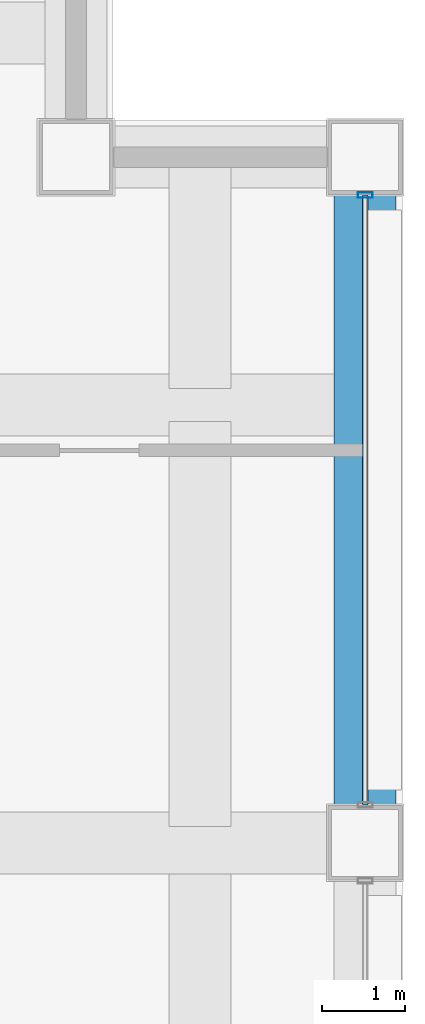
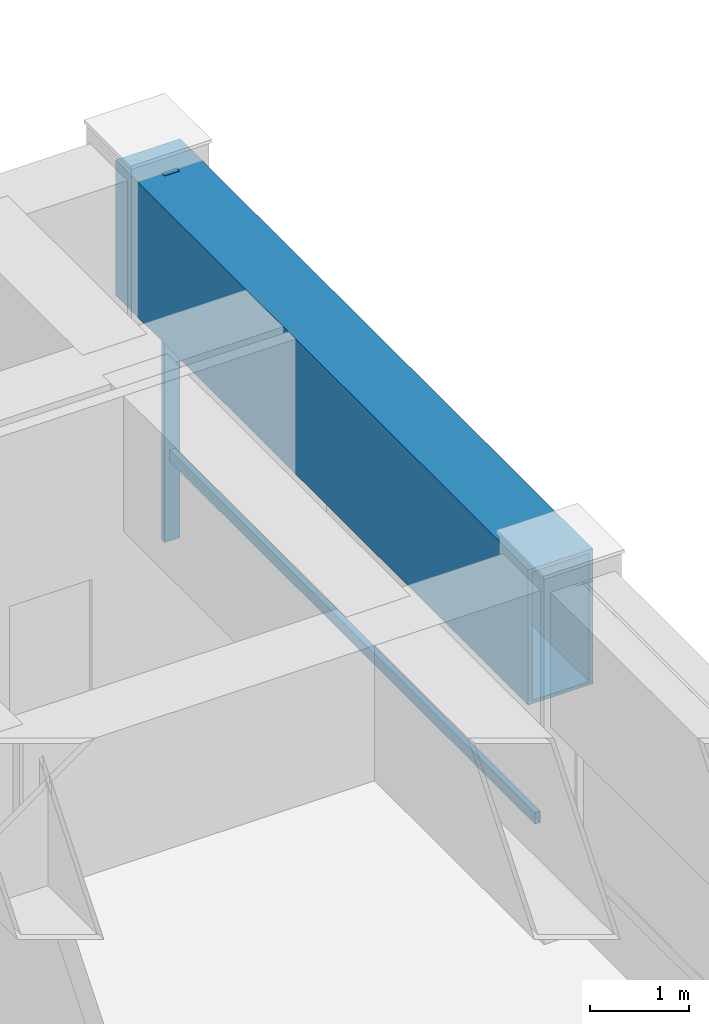
# One storey, part 23 of 29: 2 members, 1 beam, 1 element without a shape of its own.
"""IFC4 building model written with IfcOpenShell, lengths in metres."""

from ifc_helpers import new_model, si_unit, direction, frame, origin, origin_2d, place, context, subcontext, project, spatial, hollow_rectangle, extrude, material, layer, layer_set, material_profile, profile_set, type_object, element, aggregate, save


model = new_model("IFC4")

# Units and contexts
model_context = context("Model", 3, precision=1e-05, world=origin(), true_north=direction((0.0, 1.0)))
body_context = subcontext(model_context, "Body", "Model", "MODEL_VIEW")
ifc_project = project(units=[si_unit("LENGTHUNIT", "METRE"), si_unit("AREAUNIT", "SQUARE_METRE"), si_unit("VOLUMEUNIT", "CUBIC_METRE"), si_unit("PLANEANGLEUNIT", "RADIAN"), si_unit("MASSUNIT", "GRAM", prefix="KILO")], contexts=[model_context])

# Site, building, storey
site_placement = place(None, origin())
site = spatial("IfcSite", under=ifc_project, at=site_placement, CompositionType="ELEMENT")
building_placement = place(site_placement, origin())
building = spatial("IfcBuilding", under=site, at=building_placement, Name="Brelmoor Portico Tower", CompositionType="ELEMENT")
storey_placement = place(building_placement, frame((0.0, 0.0, 82.800048828125)))
storey = spatial("IfcBuildingStorey", under=building, at=storey_placement, Name="L21", CompositionType="ELEMENT", Elevation=82.800048828125)

# Beam
ifc_material_1 = material(Name="Steel Q355B", Category="steel")
ifc_material_profile_1 = material_profile(ifc_material_1, hollow_rectangle(XDim=0.75, YDim=1.659912109375, WallThickness=0.0419921875, at=origin_2d()), Name="BOX 750x1660x42")
ifc_profile_set_1 = profile_set([ifc_material_profile_1], Name="Steel Q355B")
beam_type = type_object("IfcBeamType", Name="BM-TG-Z2", PredefinedType="BEAM", material=ifc_profile_set_1)
beam_placement = place(storey_placement, frame((24.550048828125, 9.75, 3.469970703125), z_axis=(0.0, 1.0, 0.0), x_axis=(-1.0, 0.0, 0.0)))
element("IfcBeam", 1, at=beam_placement, inside=storey, type_object=beam_type, Name="L21 Perimeter Transfer Beam SP-24", PredefinedType="BEAM", context=body_context, shape_type="SweptSolid", body=[
    extrude(hollow_rectangle(XDim=0.75, YDim=1.659912109375, WallThickness=0.0419921875, at=origin_2d()), origin(), (0.0, 0.0, 1.0), 8.300048828125),
])

# Curtain wall, members
ifc_material_2 = material(Name="Anodised Aluminium Alloy 6063-T6", Category="aluminium")
ifc_layer = layer(ifc_material_2, 0.179931640625)
ifc_layer_set = layer_set([ifc_layer], Name="Anodised Aluminium Alloy 6063-T6")
curtain_wall_type = type_object("IfcCurtainWallType", Name="CW-TOWER-Z1", PredefinedType="NOTDEFINED", material=ifc_layer_set)
curtain_wall_placement = place(storey_placement, origin())
curtain_wall = element("IfcCurtainWall", 2, at=curtain_wall_placement, inside=storey, type_object=curtain_wall_type, Name="L21 Curtain Wall CW-L21-04-3", PredefinedType="NOTDEFINED")
ifc_material_profile_2 = material_profile(ifc_material_2, hollow_rectangle(XDim=0.06494140625, YDim=0.179931640625, WallThickness=0.00390625, at=origin_2d()), Name="ALU MULLION 65x180")
ifc_profile_set_2 = profile_set([ifc_material_profile_2], Name="Anodised Aluminium Alloy 6063-T6")
member_type_1 = type_object("IfcMemberType", Name="MB-CW-MULL-180", PredefinedType="MULLION", material=ifc_profile_set_2)
member_1_placement = place(storey_placement, frame((24.550048828125, 17.590087890625, -0.199951171875), z_axis=(0.0, 0.0, 1.0), x_axis=(0.0, 1.0, 0.0)))
member_1 = element("IfcMember", 3, at=member_1_placement, type_object=member_type_1, Name="CW-L21-04-3 Mullion 01", PredefinedType="MULLION", context=body_context, shape_type="SweptSolid", body=[
    extrude(hollow_rectangle(XDim=0.06494140625, YDim=0.179931640625, WallThickness=0.00390625, at=origin_2d()), origin(), (0.0, 0.0, 1.0), 4.5),
])
ifc_material_profile_3 = material_profile(ifc_material_2, hollow_rectangle(XDim=0.06494140625, YDim=0.139892578125, WallThickness=0.00390625, at=origin_2d()), Name="ALU TRANSOM 65x140")
ifc_profile_set_3 = profile_set([ifc_material_profile_3], Name="Anodised Aluminium Alloy 6063-T6")
member_type_2 = type_object("IfcMemberType", Name="MB-CW-TRAN-140", PredefinedType="USERDEFINED", material=ifc_profile_set_3)
member_2_placement = place(storey_placement, frame((24.550048828125, 10.2099609375, 0.849853515625), z_axis=(0.0, 1.0, 0.0), x_axis=(-1.0, 0.0, 0.0)))
member_2 = element("IfcMember", 4, at=member_2_placement, type_object=member_type_2, Name="CW-L21-04-3 Transom 1-00", ObjectType="TRANSOM", PredefinedType="USERDEFINED", context=body_context, shape_type="SweptSolid", body=[
    extrude(hollow_rectangle(XDim=0.06494140625, YDim=0.139892578125, WallThickness=0.00390625, at=origin_2d()), origin(), (0.0, 0.0, 1.0), 7.380126953125),
])
aggregate(curtain_wall, [member_1, member_2])

save(model, "model.ifc")
